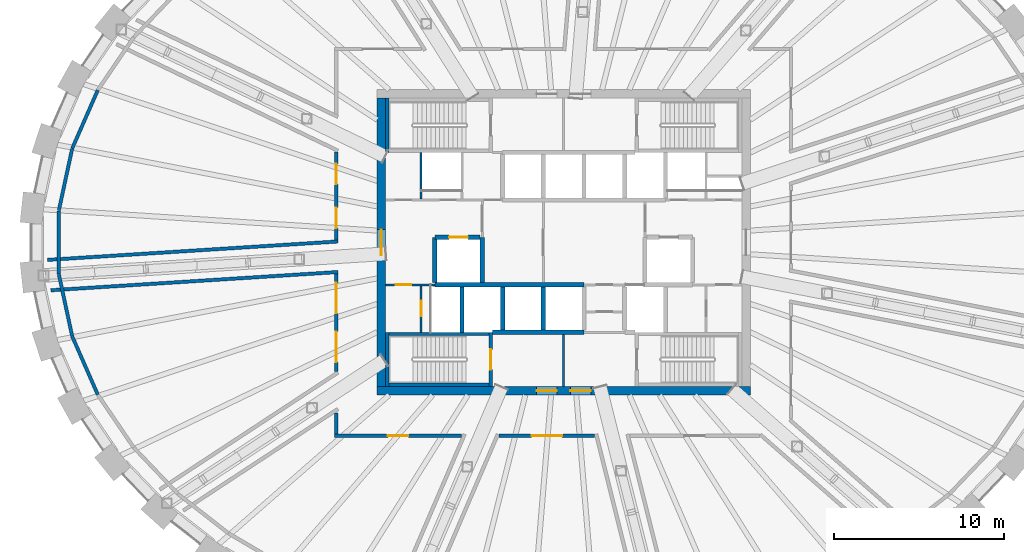
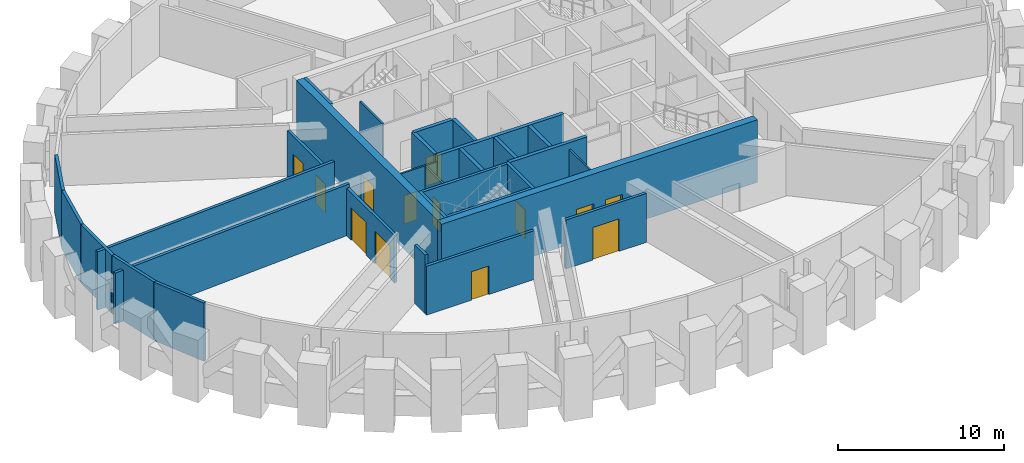
# One storey, part 7 of 12: 31 walls, 13 doors, 13 openings.
"""IFC4 building model written with IfcOpenShell, lengths in metres."""

from ifc_helpers import new_model, si_unit, direction, frame, frame_2d, origin, place, context, subcontext, project, spatial, rectangle, extrude, source, transform, mapped, material, layer, layer_set, type_object, element, fill, save


model = new_model("IFC4")

# Units and contexts
model_context = context("Model", 3, precision=1e-05, world=origin(), true_north=direction((0.0, 1.0)))
body_context = subcontext(model_context, "Body", "Model", "MODEL_VIEW")
ifc_project = project(units=[si_unit("LENGTHUNIT", "METRE"), si_unit("AREAUNIT", "SQUARE_METRE"), si_unit("VOLUMEUNIT", "CUBIC_METRE"), si_unit("PLANEANGLEUNIT", "RADIAN"), si_unit("MASSUNIT", "GRAM", prefix="KILO")], contexts=[model_context])

# Site, building, storey
site_placement = place(None, origin())
site = spatial("IfcSite", under=ifc_project, at=site_placement, CompositionType="ELEMENT")
building_placement = place(site_placement, origin())
building = spatial("IfcBuilding", under=site, at=building_placement, Name="Embergate Tower", CompositionType="ELEMENT")
storey_placement = place(building_placement, frame((0.0, 0.0, 289.0)))
storey = spatial("IfcBuildingStorey", under=building, at=storey_placement, Name="L67", CompositionType="ELEMENT", Elevation=289.0)

# Wall, openings, doors
ifc_material_1 = material(Name="Concrete C50", Category="concrete")
ifc_layer_1 = layer(ifc_material_1, 0.5)
ifc_layer_set_1 = layer_set([ifc_layer_1], Name="Concrete C50")
wall_type_1 = type_object("IfcWallType", Name="Core outer wall C50 500", PredefinedType="SHEAR", material=ifc_layer_set_1)
shared_shape_1 = source(origin(), body_context, "Body", "SweptSolid", [
    extrude(rectangle(XDim=22.0, YDim=0.5, at=frame_2d((11.0, 0.0))), origin(), (0.0, 0.0, 1.0), 4.60009765625),
])
wall_1_placement = place(storey_placement, frame((-11.0, -8.75, -0.300048828125), z_axis=(0.0, 0.0, 1.0), x_axis=(1.0, 0.0, 0.0)))
wall_1 = element("IfcWall", 1, at=wall_1_placement, inside=storey, type_object=wall_type_1, Name="CW-L67-S", PredefinedType="SHEAR", context=body_context, shape_type="MappedRepresentation", body=[
    mapped(shared_shape_1, transform((0.0, 0.0, 0.0))),
])
shared_shape_2 = source(origin(), body_context, "Body", "SweptSolid", [
    extrude(rectangle(XDim=1.199951171875, YDim=2.10009765625, at=frame_2d((0.60009765625, 1.050048828125))), frame((0.0, 0.260009765625, 0.0), z_axis=(0.0, -1.0, 0.0), x_axis=(1.0, 0.0, 0.0)), (0.0, 0.0, 1.0), 0.52001953125),
])
opening_1_placement = place(wall_1_placement, frame((9.39990234375, 0.0, 0.300048828125)))
opening_1 = element("IfcOpeningElement", 2, at=opening_1_placement, cuts=wall_1, Name="Opening IF-1", PredefinedType="OPENING", context=body_context, shape_type="MappedRepresentation", body=[
    mapped(shared_shape_2, transform((0.0, 0.0, 0.0))),
])
opening_2_placement = place(wall_1_placement, frame((11.39990234375, 0.0, 0.300048828125)))
opening_2 = element("IfcOpeningElement", 3, at=opening_2_placement, cuts=wall_1, Name="Opening IF-1", PredefinedType="OPENING", context=body_context, shape_type="MappedRepresentation", body=[
    mapped(shared_shape_2, transform((0.0, 0.0, 0.0))),
])
ifc_material_2 = material(Name="Escape fire door 1200")
door_type_1 = type_object("IfcDoorType", Name="Escape fire door 1200", OperationType="SINGLE_SWING_LEFT", PredefinedType="DOOR", material=ifc_material_2)
shared_shape_3 = source(origin(), body_context, "Body", "SweptSolid", [
    extrude(rectangle(XDim=1.199951171875, YDim=2.10009765625, at=frame_2d((0.60009765625, 1.050048828125))), frame((0.0, 0.02490234375, 0.0), z_axis=(0.0, -1.0, 0.0), x_axis=(1.0, 0.0, 0.0)), (0.0, 0.0, 1.0), 0.050048828125),
])
door_1_placement = place(opening_1_placement, origin())
door_1 = element("IfcDoor", 4, at=door_1_placement, inside=storey, type_object=door_type_1, Name="IF-1 door", OperationType="SINGLE_SWING_LEFT", OverallHeight=2.10009765625, OverallWidth=1.199951171875, PredefinedType="DOOR", context=body_context, shape_type="MappedRepresentation", body=[
    mapped(shared_shape_3, transform((0.0, 0.0, 0.0))),
])
fill(opening_1, door_1)
door_2_placement = place(opening_2_placement, origin())
door_2 = element("IfcDoor", 5, at=door_2_placement, inside=storey, type_object=door_type_1, Name="IF-1 door", OperationType="SINGLE_SWING_RIGHT", OverallHeight=2.10009765625, OverallWidth=1.199951171875, PredefinedType="DOOR", context=body_context, shape_type="MappedRepresentation", body=[
    mapped(shared_shape_3, transform((0.0, 0.0, 0.0))),
])
fill(opening_2, door_2)

# Wall, opening, door
shared_shape_4 = source(origin(), body_context, "Body", "SweptSolid", [
    extrude(rectangle(XDim=17.0, YDim=0.5, at=frame_2d((8.5, 0.0))), origin(), (0.0, 0.0, 1.0), 4.60009765625),
])
wall_2_placement = place(storey_placement, frame((-10.75, -8.5, -0.300048828125), z_axis=(0.0, 0.0, 1.0), x_axis=(0.0, 1.0, 0.0)))
wall_2 = element("IfcWall", 6, at=wall_2_placement, inside=storey, type_object=wall_type_1, Name="CW-L67-W", PredefinedType="SHEAR", context=body_context, shape_type="MappedRepresentation", body=[
    mapped(shared_shape_4, transform((0.0, 0.0, 0.0))),
])
shared_shape_5 = source(origin(), body_context, "Body", "SweptSolid", [
    extrude(rectangle(XDim=1.5, YDim=2.10009765625, at=frame_2d((0.75, 1.050048828125))), frame((0.0, 0.260009765625, 0.0), z_axis=(0.0, -1.0, 0.0), x_axis=(1.0, 0.0, 0.0)), (0.0, 0.0, 1.0), 0.52001953125),
])
opening_3_placement = place(wall_2_placement, frame((7.75, 0.0, 0.300048828125)))
opening_3 = element("IfcOpeningElement", 7, at=opening_3_placement, cuts=wall_2, Name="Opening IF-3", PredefinedType="OPENING", context=body_context, shape_type="MappedRepresentation", body=[
    mapped(shared_shape_5, transform((0.0, 0.0, 0.0))),
])
ifc_material_3 = material(Name="Lobby fire door pair 1500")
door_type_2 = type_object("IfcDoorType", Name="Lobby fire door pair 1500", OperationType="DOUBLE_DOOR_SINGLE_SWING", PredefinedType="DOOR", material=ifc_material_3)
shared_shape_6 = source(origin(), body_context, "Body", "SweptSolid", [
    extrude(rectangle(XDim=1.5, YDim=2.10009765625, at=frame_2d((0.75, 1.050048828125))), frame((0.0, 0.02490234375, 0.0), z_axis=(0.0, -1.0, 0.0), x_axis=(1.0, 0.0, 0.0)), (0.0, 0.0, 1.0), 0.050048828125),
])
door_3_placement = place(opening_3_placement, origin())
door_3 = element("IfcDoor", 8, at=door_3_placement, inside=storey, type_object=door_type_2, Name="IF-3 door", OperationType="DOUBLE_DOOR_SINGLE_SWING", OverallHeight=2.10009765625, OverallWidth=1.5, PredefinedType="DOOR", context=body_context, shape_type="MappedRepresentation", body=[
    mapped(shared_shape_6, transform((0.0, 0.0, 0.0))),
])
fill(opening_3, door_3)

# Walls
ifc_material_4 = material(Name="Terracotta louvre cladding on insulated backing", Category="masonry")
ifc_layer_2 = layer(ifc_material_4, 0.199951171875)
ifc_layer_set_2 = layer_set([ifc_layer_2], Name="Terracotta louvre cladding on insulated backing")
wall_type_2 = type_object("IfcWallType", Name="Terracotta louvre wall", PredefinedType="SOLIDWALL", material=ifc_layer_set_2)
shared_shape_7 = source(origin(), body_context, "Body", "SweptSolid", [
    extrude(rectangle(XDim=3.729248046875, YDim=0.199951171875, at=frame_2d((1.86474609375, 0.0))), origin(), (0.0, 0.0, 1.0), 4.300048828125),
])
for number, where, z_axis, x_axis, name in (
    (9, (-29.762451171875, 1.88330078125, 0.0), (0.0, 0.0, 1.0), (0.2104097695, 0.977613281875, 0.0), "Louvre wall 21"),
    (10, (-28.977783203125, -5.529052734375, 0.0), (0.0, 0.0, 1.0), (-0.2104097695, 0.977613281875, 0.0), "Louvre wall 23"),
):
    element("IfcWall", number, at=place(storey_placement, frame(where, z_axis=z_axis, x_axis=x_axis)), inside=storey, type_object=wall_type_2, Name=name, PredefinedType="SOLIDWALL", context=body_context, shape_type="MappedRepresentation", body=[
        mapped(shared_shape_7, transform((0.0, 0.0, 0.0))),
    ])
shared_shape_8 = source(origin(), body_context, "Body", "SweptSolid", [
    extrude(rectangle(XDim=3.736328125, YDim=0.199951171875, at=frame_2d((1.8681640625, 0.0))), origin(), (0.0, 0.0, 1.0), 4.300048828125),
])
for number, where, z_axis, x_axis, name in (
    (11, (-28.9716796875, 5.548095703125, 0.0), (0.0, 0.0, 1.0), (0.40166534079, 0.915786522072, 0.0), "Louvre wall 20"),
    (12, (-27.470947265625, -8.9697265625, 0.0), (0.0, 0.0, 1.0), (-0.40166534079, 0.915786522072, 0.0), "Louvre wall 24"),
):
    element("IfcWall", number, at=place(storey_placement, frame(where, z_axis=z_axis, x_axis=x_axis)), inside=storey, type_object=wall_type_2, Name=name, PredefinedType="SOLIDWALL", context=body_context, shape_type="MappedRepresentation", body=[
        mapped(shared_shape_8, transform((0.0, 0.0, 0.0))),
    ])
shared_shape_9 = source(origin(), body_context, "Body", "SweptSolid", [
    extrude(rectangle(XDim=3.7265625, YDim=0.199951171875, at=frame_2d((1.86328125, 0.0))), origin(), (0.0, 0.0, 1.0), 4.300048828125),
])
wall_3_placement = place(storey_placement, frame((-29.7646484375, -1.86328125, 0.0), z_axis=(0.0, 0.0, 1.0), x_axis=(0.0, 1.0, 0.0)))
element("IfcWall", 13, at=wall_3_placement, inside=storey, type_object=wall_type_2, Name="Louvre wall 22", PredefinedType="SOLIDWALL", context=body_context, shape_type="MappedRepresentation", body=[
    mapped(shared_shape_9, transform((0.0, 0.0, 0.0))),
])
ifc_layer_3 = layer(ifc_material_1, 0.25)
ifc_layer_set_3 = layer_set([ifc_layer_3], Name="Concrete C50")
wall_type_3 = type_object("IfcWallType", Name="Hoistway wall reinforced concrete 250", PredefinedType="SHEAR", material=ifc_layer_set_3)
shared_shape_10 = source(origin(), body_context, "Body", "SweptSolid", [
    extrude(rectangle(XDim=2.675048828125, YDim=0.25, at=frame_2d((1.33740234375, 0.0))), origin(), (0.0, 0.0, 1.0), 4.300048828125),
])
for number, where, z_axis, x_axis, name in (
    (14, (-6.0, -5.300048828125, 0.0), (0.0, 0.0, 1.0), (0.0, 1.0, 0.0), "HW-1 wall"),
    (15, (-4.800048828125, 0.300048828125, 0.0), (0.0, 0.0, 1.0), (0.0, -1.0, 0.0), "HW-1 wall"),
):
    element("IfcWall", number, at=place(storey_placement, frame(where, z_axis=z_axis, x_axis=x_axis)), inside=storey, type_object=wall_type_3, Name=name, PredefinedType="SHEAR", context=body_context, shape_type="MappedRepresentation", body=[
        mapped(shared_shape_10, transform((0.0, 0.0, 0.0))),
    ])

# Wall, opening, door
wall_4_placement = place(storey_placement, frame((-4.925048828125, 0.300048828125, 0.0), z_axis=(0.0, 0.0, 1.0), x_axis=(-1.0, 0.0, 0.0)))
wall_4 = element("IfcWall", 16, at=wall_4_placement, inside=storey, type_object=wall_type_3, Name="HW-1 wall", PredefinedType="SHEAR", context=body_context, shape_type="MappedRepresentation", body=[
    mapped(shared_shape_10, transform((0.0, 0.0, 0.0))),
])
shared_shape_11 = source(origin(), body_context, "Body", "SweptSolid", [
    extrude(rectangle(XDim=1.10009765625, YDim=2.10009765625, at=frame_2d((0.550048828125, 1.050048828125))), frame((0.0, 0.135009765625, 0.0), z_axis=(0.0, -1.0, 0.0), x_axis=(1.0, 0.0, 0.0)), (0.0, 0.0, 1.0), 0.27001953125),
])
opening_4_placement = place(wall_4_placement, frame((0.72509765625, 0.0, 0.0)))
opening_4 = element("IfcOpeningElement", 17, at=opening_4_placement, cuts=wall_4, Name="Opening LD", PredefinedType="OPENING", context=body_context, shape_type="MappedRepresentation", body=[
    mapped(shared_shape_11, transform((0.0, 0.0, 0.0))),
])
ifc_material_5 = material(Name="Landing door sliding 1100")
door_type_3 = type_object("IfcDoorType", Name="Landing door sliding 1100", OperationType="SLIDING_TO_LEFT", PredefinedType="DOOR", material=ifc_material_5)
shared_shape_12 = source(origin(), body_context, "Body", "SweptSolid", [
    extrude(rectangle(XDim=1.10009765625, YDim=2.10009765625, at=frame_2d((0.550048828125, 1.050048828125))), frame((0.0, 0.02490234375, 0.0), z_axis=(0.0, -1.0, 0.0), x_axis=(1.0, 0.0, 0.0)), (0.0, 0.0, 1.0), 0.050048828125),
])
door_4_placement = place(opening_4_placement, origin())
door_4 = element("IfcDoor", 18, at=door_4_placement, inside=storey, type_object=door_type_3, Name="LD door", OperationType="SLIDING_TO_LEFT", OverallHeight=2.10009765625, OverallWidth=1.10009765625, PredefinedType="DOOR", context=body_context, shape_type="MappedRepresentation", body=[
    mapped(shared_shape_12, transform((0.0, 0.0, 0.0))),
])
fill(opening_4, door_4)

# Walls
wall_5_placement = place(storey_placement, frame((-7.60009765625, 0.300048828125, 0.0), z_axis=(0.0, 0.0, 1.0), x_axis=(0.0, -1.0, 0.0)))
element("IfcWall", 19, at=wall_5_placement, inside=storey, type_object=wall_type_3, Name="HW-1 wall", PredefinedType="SHEAR", context=body_context, shape_type="MappedRepresentation", body=[
    mapped(shared_shape_10, transform((0.0, 0.0, 0.0))),
])
ifc_layer_4 = layer(ifc_material_1, 0.199951171875)
ifc_layer_set_4 = layer_set([ifc_layer_4], Name="Concrete C50")
wall_type_4 = type_object("IfcWallType", Name="Stair enclosure wall reinforced concrete 250", PredefinedType="SHEAR", material=ifc_layer_set_4)
shared_shape_13 = source(origin(), body_context, "Body", "SweptSolid", [
    extrude(rectangle(XDim=6.300048828125, YDim=0.199951171875, at=frame_2d((3.14990234375, 0.0))), origin(), (0.0, 0.0, 1.0), 4.300048828125),
])
wall_6_placement = place(storey_placement, frame((-10.5, -5.39990234375, 0.0), z_axis=(0.0, 0.0, 1.0), x_axis=(1.0, 0.0, 0.0)))
element("IfcWall", 20, at=wall_6_placement, inside=storey, type_object=wall_type_4, Name="SE-1 wall", PredefinedType="SHEAR", context=body_context, shape_type="MappedRepresentation", body=[
    mapped(shared_shape_13, transform((0.0, 0.0, 0.0))),
])
shared_shape_14 = source(origin(), body_context, "Body", "SweptSolid", [
    extrude(rectangle(XDim=2.550048828125, YDim=0.25, at=frame_2d((1.27490234375, 0.0))), origin(), (0.0, 0.0, 1.0), 4.300048828125),
])
for number, where, z_axis, x_axis, name in (
    (21, (-3.60009765625, -5.175048828125, 0.0), (0.0, 0.0, 1.0), (0.0, 1.0, 0.0), "HW-1 wall"),
    (22, (-1.199951171875, -5.175048828125, 0.0), (0.0, 0.0, 1.0), (0.0, 1.0, 0.0), "HW-1 wall"),
):
    element("IfcWall", number, at=place(storey_placement, frame(where, z_axis=z_axis, x_axis=x_axis)), inside=storey, type_object=wall_type_3, Name=name, PredefinedType="SHEAR", context=body_context, shape_type="MappedRepresentation", body=[
        mapped(shared_shape_14, transform((0.0, 0.0, 0.0))),
    ])

# Wall, opening, door
shared_shape_15 = source(origin(), body_context, "Body", "SweptSolid", [
    extrude(rectangle(XDim=3.199951171875, YDim=0.199951171875, at=frame_2d((1.60009765625, 0.0))), origin(), (0.0, 0.0, 1.0), 4.300048828125),
])
wall_7_placement = place(storey_placement, frame((-4.300048828125, -8.5, 0.0), z_axis=(0.0, 0.0, 1.0), x_axis=(0.0, 1.0, 0.0)))
wall_7 = element("IfcWall", 23, at=wall_7_placement, inside=storey, type_object=wall_type_4, Name="SE-1 wall", PredefinedType="SHEAR", context=body_context, shape_type="MappedRepresentation", body=[
    mapped(shared_shape_15, transform((0.0, 0.0, 0.0))),
])
shared_shape_16 = source(origin(), body_context, "Body", "SweptSolid", [
    extrude(rectangle(XDim=1.199951171875, YDim=2.10009765625, at=frame_2d((0.60009765625, 1.050048828125))), frame((0.0, 0.10986328125, 0.0), z_axis=(0.0, -1.0, 0.0), x_axis=(1.0, 0.0, 0.0)), (0.0, 0.0, 1.0), 0.219970703125),
])
opening_5_placement = place(wall_7_placement, frame((1.0, 0.0, 0.0)))
opening_5 = element("IfcOpeningElement", 24, at=opening_5_placement, cuts=wall_7, Name="Opening IF-2", PredefinedType="OPENING", context=body_context, shape_type="MappedRepresentation", body=[
    mapped(shared_shape_16, transform((0.0, 0.0, 0.0))),
])
ifc_material_6 = material(Name="Stair enclosure door 1200")
door_type_4 = type_object("IfcDoorType", Name="Stair enclosure door 1200", OperationType="SINGLE_SWING_LEFT", PredefinedType="DOOR", material=ifc_material_6)
door_5_placement = place(opening_5_placement, origin())
door_5 = element("IfcDoor", 25, at=door_5_placement, inside=storey, type_object=door_type_4, Name="IF-2 door", OperationType="SINGLE_SWING_RIGHT", OverallHeight=2.10009765625, OverallWidth=1.199951171875, PredefinedType="DOOR", context=body_context, shape_type="MappedRepresentation", body=[
    mapped(shared_shape_3, transform((0.0, 0.0, 0.0))),
])
fill(opening_5, door_5)

# Wall
ifc_material_7 = material(Name="Core partition blockwork 120")
ifc_layer_5 = layer(ifc_material_7, 0.1201171875)
ifc_layer_set_5 = layer_set([ifc_layer_5], Name="Core partition blockwork 120")
wall_type_5 = type_object("IfcWallType", Name="Core partition blockwork 120", PredefinedType="PARTITIONING", material=ifc_layer_set_5)
shared_shape_17 = source(origin(), body_context, "Body", "SweptSolid", [
    extrude(rectangle(XDim=2.739990234375, YDim=0.1201171875, at=frame_2d((1.3701171875, 0.0))), origin(), (0.0, 0.0, 1.0), 3.800048828125),
])
wall_8_placement = place(storey_placement, frame((-8.39990234375, 5.300048828125, 0.0), z_axis=(0.0, 0.0, 1.0), x_axis=(0.0, -1.0, 0.0)))
element("IfcWall", 26, at=wall_8_placement, inside=storey, type_object=wall_type_5, Name="IP-3 wall", PredefinedType="PARTITIONING", context=body_context, shape_type="MappedRepresentation", body=[
    mapped(shared_shape_17, transform((0.0, 0.0, 0.0))),
])

# Wall, opening, door
wall_9_placement = place(storey_placement, frame((-8.39990234375, -2.56005859375, 0.0), z_axis=(0.0, 0.0, 1.0), x_axis=(0.0, -1.0, 0.0)))
wall_9 = element("IfcWall", 27, at=wall_9_placement, inside=storey, type_object=wall_type_5, Name="IP-3 wall", PredefinedType="PARTITIONING", context=body_context, shape_type="MappedRepresentation", body=[
    mapped(shared_shape_17, transform((0.0, 0.0, 0.0))),
])
shared_shape_18 = source(origin(), body_context, "Body", "SweptSolid", [
    extrude(rectangle(XDim=0.89990234375, YDim=2.10009765625, at=frame_2d((0.449951171875, 1.050048828125))), frame((0.0, 0.070068359375, 0.0), z_axis=(0.0, -1.0, 0.0), x_axis=(1.0, 0.0, 0.0)), (0.0, 0.0, 1.0), 0.14013671875),
])
opening_6_placement = place(wall_9_placement, frame((0.889892578125, 0.0, 0.0)))
opening_6 = element("IfcOpeningElement", 28, at=opening_6_placement, cuts=wall_9, Name="Opening ID-1", PredefinedType="OPENING", context=body_context, shape_type="MappedRepresentation", body=[
    mapped(shared_shape_18, transform((0.0, 0.0, 0.0))),
])
ifc_material_8 = material(Name="Interior door 900")
door_type_5 = type_object("IfcDoorType", Name="Interior door 900", OperationType="SINGLE_SWING_LEFT", PredefinedType="DOOR", material=ifc_material_8)
shared_shape_19 = source(origin(), body_context, "Body", "SweptSolid", [
    extrude(rectangle(XDim=0.89990234375, YDim=2.10009765625, at=frame_2d((0.449951171875, 1.050048828125))), frame((0.0, 0.02490234375, 0.0), z_axis=(0.0, -1.0, 0.0), x_axis=(1.0, 0.0, 0.0)), (0.0, 0.0, 1.0), 0.050048828125),
])
door_6_placement = place(opening_6_placement, origin())
door_6 = element("IfcDoor", 29, at=door_6_placement, inside=storey, type_object=door_type_5, Name="ID-1 door", OperationType="SINGLE_SWING_LEFT", OverallHeight=2.10009765625, OverallWidth=0.89990234375, PredefinedType="DOOR", context=body_context, shape_type="MappedRepresentation", body=[
    mapped(shared_shape_19, transform((0.0, 0.0, 0.0))),
])
fill(opening_6, door_6)

# Wall
shared_shape_20 = source(origin(), body_context, "Body", "SweptSolid", [
    extrude(rectangle(XDim=8.800048828125, YDim=0.25, at=frame_2d((4.39990234375, 0.0))), origin(), (0.0, 0.0, 1.0), 4.300048828125),
])
wall_10_placement = place(storey_placement, frame((1.199951171875, -2.5, 0.0), z_axis=(0.0, 0.0, 1.0), x_axis=(-1.0, 0.0, 0.0)))
element("IfcWall", 30, at=wall_10_placement, inside=storey, type_object=wall_type_3, Name="HW-1 wall", PredefinedType="SHEAR", context=body_context, shape_type="MappedRepresentation", body=[
    mapped(shared_shape_20, transform((0.0, 0.0, 0.0))),
])

# Wall, opening, door
shared_shape_21 = source(origin(), body_context, "Body", "SweptSolid", [
    extrude(rectangle(XDim=2.89990234375, YDim=0.1201171875, at=frame_2d((1.449951171875, 0.0))), origin(), (0.0, 0.0, 1.0), 3.800048828125),
])
wall_11_placement = place(storey_placement, frame((-7.60009765625, -2.5, 0.0), z_axis=(0.0, 0.0, 1.0), x_axis=(-1.0, 0.0, 0.0)))
wall_11 = element("IfcWall", 31, at=wall_11_placement, inside=storey, type_object=wall_type_5, Name="IP-3 wall", PredefinedType="PARTITIONING", context=body_context, shape_type="MappedRepresentation", body=[
    mapped(shared_shape_21, transform((0.0, 0.0, 0.0))),
])
opening_7_placement = place(wall_11_placement, frame((1.39990234375, 0.0, 0.0)))
opening_7 = element("IfcOpeningElement", 32, at=opening_7_placement, cuts=wall_11, Name="Opening ID-1", PredefinedType="OPENING", context=body_context, shape_type="MappedRepresentation", body=[
    mapped(shared_shape_18, transform((0.0, 0.0, 0.0))),
])
door_7_placement = place(opening_7_placement, origin())
door_7 = element("IfcDoor", 33, at=door_7_placement, inside=storey, type_object=door_type_5, Name="ID-1 door", OperationType="SINGLE_SWING_RIGHT", OverallHeight=2.10009765625, OverallWidth=0.89990234375, PredefinedType="DOOR", context=body_context, shape_type="MappedRepresentation", body=[
    mapped(shared_shape_19, transform((0.0, 0.0, 0.0))),
])
fill(opening_7, door_7)

# Walls
shared_shape_22 = source(origin(), body_context, "Body", "SweptSolid", [
    extrude(rectangle(XDim=5.39990234375, YDim=0.25, at=frame_2d((2.699951171875, 0.0))), origin(), (0.0, 0.0, 1.0), 4.300048828125),
])
wall_12_placement = place(storey_placement, frame((-4.199951171875, -5.300048828125, 0.0), z_axis=(0.0, 0.0, 1.0), x_axis=(1.0, 0.0, 0.0)))
element("IfcWall", 34, at=wall_12_placement, inside=storey, type_object=wall_type_3, Name="HW-1 wall", PredefinedType="SHEAR", context=body_context, shape_type="MappedRepresentation", body=[
    mapped(shared_shape_22, transform((0.0, 0.0, 0.0))),
])
shared_shape_23 = source(origin(), body_context, "Body", "SweptSolid", [
    extrude(rectangle(XDim=3.074951171875, YDim=0.1201171875, at=frame_2d((1.53759765625, 0.0))), origin(), (0.0, 0.0, 1.0), 3.800048828125),
])
wall_13_placement = place(storey_placement, frame((0.0, -8.5, 0.0), z_axis=(0.0, 0.0, 1.0), x_axis=(0.0, 1.0, 0.0)))
element("IfcWall", 35, at=wall_13_placement, inside=storey, type_object=wall_type_5, Name="IP-3 wall", PredefinedType="PARTITIONING", context=body_context, shape_type="MappedRepresentation", body=[
    mapped(shared_shape_23, transform((0.0, 0.0, 0.0))),
])
shared_shape_24 = source(origin(), body_context, "Body", "SweptSolid", [
    extrude(rectangle(XDim=6.298095703125, YDim=0.199951171875, at=frame_2d((3.14892578125, 0.0))), origin(), (0.0, 0.0, 1.0), 4.300048828125),
])
wall_14_placement = place(storey_placement, frame((-10.5, -8.39990234375, 0.0), z_axis=(0.0, 0.0, 1.0), x_axis=(1.0, 0.0, 0.0)))
element("IfcWall", 36, at=wall_14_placement, inside=storey, type_object=wall_type_4, Name="SE-1 wall", PredefinedType="SHEAR", context=body_context, shape_type="MappedRepresentation", body=[
    mapped(shared_shape_24, transform((0.0, 0.0, 0.0))),
])
shared_shape_25 = source(origin(), body_context, "Body", "SweptSolid", [
    extrude(rectangle(XDim=3.197998046875, YDim=0.199951171875, at=frame_2d((1.59912109375, 0.0))), origin(), (0.0, 0.0, 1.0), 4.300048828125),
])
for number, where, z_axis, x_axis, name in (
    (37, (-10.39990234375, 8.5, 0.0), (0.0, 0.0, 1.0), (0.0, -1.0, 0.0), "SE-1 wall"),
    (38, (-10.39990234375, -5.302001953125, 0.0), (0.0, 0.0, 1.0), (0.0, -1.0, 0.0), "SE-1 wall"),
):
    element("IfcWall", number, at=place(storey_placement, frame(where, z_axis=z_axis, x_axis=x_axis)), inside=storey, type_object=wall_type_4, Name=name, PredefinedType="SHEAR", context=body_context, shape_type="MappedRepresentation", body=[
        mapped(shared_shape_25, transform((0.0, 0.0, 0.0))),
    ])
ifc_material_9 = material(Name="Blockwork, plastered", Category="masonry")
ifc_layer_6 = layer(ifc_material_9, 0.199951171875)
ifc_layer_set_6 = layer_set([ifc_layer_6], Name="Blockwork, plastered")
wall_type_6 = type_object("IfcWallType", Name="Fire partition wall 200 block", PredefinedType="PARTITIONING", material=ifc_layer_set_6)
shared_shape_26 = source(origin(), body_context, "Body", "SweptSolid", [
    extrude(rectangle(XDim=16.97119140625, YDim=0.199951171875, at=frame_2d((8.485595703125, 0.0))), origin(), (0.0, 0.0, 1.0), 3.75),
])
wall_15_placement = place(storey_placement, frame((-30.237060546875, -2.822021484375, 0.0), z_axis=(0.0, 0.0, 1.0), x_axis=(0.997991997394, 0.063340138446, 0.0)))
element("IfcWall", 39, at=wall_15_placement, inside=storey, type_object=wall_type_6, Name="Partition 001", PredefinedType="PARTITIONING", context=body_context, shape_type="MappedRepresentation", body=[
    mapped(shared_shape_26, transform((0.0, 0.0, 0.0))),
])
shared_shape_27 = source(origin(), body_context, "Body", "SweptSolid", [
    extrude(rectangle(XDim=1.2490234375, YDim=0.199951171875, at=frame_2d((0.62451171875, 0.0))), origin(), (0.0, 0.0, 1.0), 4.300048828125),
])
wall_16_placement = place(storey_placement, frame((-13.39990234375, -11.300048828125, 0.0), z_axis=(0.0, 0.0, 1.0), x_axis=(0.0, 1.0, 0.0)))
element("IfcWall", 40, at=wall_16_placement, inside=storey, type_object=wall_type_6, Name="Partition 005", PredefinedType="PARTITIONING", context=body_context, shape_type="MappedRepresentation", body=[
    mapped(shared_shape_27, transform((0.0, 0.0, 0.0))),
])

# Wall, openings, doors
shared_shape_28 = source(origin(), body_context, "Body", "SweptSolid", [
    extrude(rectangle(XDim=5.743896484375, YDim=0.199951171875, at=frame_2d((2.8720703125, 0.0))), origin(), (0.0, 0.0, 1.0), 3.5),
])
wall_17_placement = place(storey_placement, frame((-13.39990234375, -7.596923828125, 0.0), z_axis=(0.0, 0.0, 1.0), x_axis=(0.0, 1.0, 0.0)))
wall_17 = element("IfcWall", 41, at=wall_17_placement, inside=storey, type_object=wall_type_6, Name="Partition 007", PredefinedType="PARTITIONING", context=body_context, shape_type="MappedRepresentation", body=[
    mapped(shared_shape_28, transform((0.0, 0.0, 0.0))),
])
shared_shape_29 = source(origin(), body_context, "Body", "SweptSolid", [
    extrude(rectangle(XDim=1.800048828125, YDim=2.39990234375, at=frame_2d((0.89990234375, 1.199951171875))), frame((0.0, 0.10986328125, 0.0), z_axis=(0.0, -1.0, 0.0), x_axis=(1.0, 0.0, 0.0)), (0.0, 0.0, 1.0), 0.219970703125),
])
opening_8_placement = place(wall_17_placement, frame((0.535888671875, 0.0, 0.0)))
opening_8 = element("IfcOpeningElement", 42, at=opening_8_placement, cuts=wall_17, Name="Opening DS-251", PredefinedType="OPENING", context=body_context, shape_type="MappedRepresentation", body=[
    mapped(shared_shape_29, transform((0.0, 0.0, 0.0))),
])
opening_9_placement = place(wall_17_placement, frame((3.407958984375, 0.0, 0.0)))
opening_9 = element("IfcOpeningElement", 43, at=opening_9_placement, cuts=wall_17, Name="Opening DS-252", PredefinedType="OPENING", context=body_context, shape_type="MappedRepresentation", body=[
    mapped(shared_shape_29, transform((0.0, 0.0, 0.0))),
])
ifc_material_10 = material(Name="Timber door leaf, steel frame", Category="steel")
door_type_6 = type_object("IfcDoorType", Name="Double door 1800x2400", OperationType="DOUBLE_DOOR_SINGLE_SWING", PredefinedType="DOOR", material=ifc_material_10)
shared_shape_30 = source(origin(), body_context, "Body", "SweptSolid", [
    extrude(rectangle(XDim=1.800048828125, YDim=2.39990234375, at=frame_2d((0.89990234375, 1.199951171875))), frame((0.0, 0.02490234375, 0.0), z_axis=(0.0, -1.0, 0.0), x_axis=(1.0, 0.0, 0.0)), (0.0, 0.0, 1.0), 0.050048828125),
])
door_8_placement = place(opening_8_placement, origin())
door_8 = element("IfcDoor", 44, at=door_8_placement, inside=storey, type_object=door_type_6, Name="Door to Refuge area", OperationType="SINGLE_SWING_LEFT", OverallHeight=2.39990234375, OverallWidth=1.800048828125, PredefinedType="DOOR", context=body_context, shape_type="MappedRepresentation", body=[
    mapped(shared_shape_30, transform((0.0, 0.0, 0.0))),
])
fill(opening_8, door_8)
door_9_placement = place(opening_9_placement, origin())
door_9 = element("IfcDoor", 45, at=door_9_placement, inside=storey, type_object=door_type_6, Name="Door to Refuge area", OperationType="SINGLE_SWING_LEFT", OverallHeight=2.39990234375, OverallWidth=1.800048828125, PredefinedType="DOOR", context=body_context, shape_type="MappedRepresentation", body=[
    mapped(shared_shape_30, transform((0.0, 0.0, 0.0))),
])
fill(opening_9, door_9)

# Wall
shared_shape_31 = source(origin(), body_context, "Body", "SweptSolid", [
    extrude(rectangle(XDim=17.164306640625, YDim=0.199951171875, at=frame_2d((8.58203125, 0.0))), origin(), (0.0, 0.0, 1.0), 4.300048828125),
])
wall_18_placement = place(storey_placement, frame((-13.300048828125, 0.055908203125, 0.0), z_axis=(0.0, 0.0, 1.0), x_axis=(-0.997993021715, -0.063323997102, 0.0)))
element("IfcWall", 46, at=wall_18_placement, inside=storey, type_object=wall_type_6, Name="Partition 008", PredefinedType="PARTITIONING", context=body_context, shape_type="MappedRepresentation", body=[
    mapped(shared_shape_31, transform((0.0, 0.0, 0.0))),
])

# Wall, openings, doors
shared_shape_32 = source(origin(), body_context, "Body", "SweptSolid", [
    extrude(rectangle(XDim=5.177978515625, YDim=0.199951171875, at=frame_2d((2.5888671875, 0.0))), origin(), (0.0, 0.0, 1.0), 3.39990234375),
])
wall_19_placement = place(storey_placement, frame((-13.39990234375, 0.14990234375, 0.0), z_axis=(0.0, 0.0, 1.0), x_axis=(0.0, 1.0, 0.0)))
wall_19 = element("IfcWall", 47, at=wall_19_placement, inside=storey, type_object=wall_type_6, Name="Partition 009", PredefinedType="PARTITIONING", context=body_context, shape_type="MappedRepresentation", body=[
    mapped(shared_shape_32, transform((0.0, 0.0, 0.0))),
])
opening_10_placement = place(wall_19_placement, frame((0.695068359375, 0.0, 0.0)))
opening_10 = element("IfcOpeningElement", 48, at=opening_10_placement, cuts=wall_19, Name="Opening DS-249", PredefinedType="OPENING", context=body_context, shape_type="MappedRepresentation", body=[
    mapped(shared_shape_16, transform((0.0, 0.0, 0.0))),
])
opening_11_placement = place(wall_19_placement, frame((3.283935546875, 0.0, 0.0)))
opening_11 = element("IfcOpeningElement", 49, at=opening_11_placement, cuts=wall_19, Name="Opening DS-250", PredefinedType="OPENING", context=body_context, shape_type="MappedRepresentation", body=[
    mapped(shared_shape_16, transform((0.0, 0.0, 0.0))),
])
door_type_7 = type_object("IfcDoorType", Name="Plant door 1200x2100", OperationType="SINGLE_SWING_LEFT", PredefinedType="DOOR", material=ifc_material_10)
shared_shape_33 = source(origin(), body_context, "Body", "SweptSolid", [
    extrude(rectangle(XDim=1.199951171875, YDim=2.10009765625, at=frame_2d((0.60009765625, 1.050048828125))), frame((0.0, 0.02490234375, 0.0), z_axis=(0.0, -1.0, 0.0), x_axis=(1.0, 0.0, 0.0)), (0.0, 0.0, 1.0), 0.050048828125),
])
door_10_placement = place(opening_10_placement, origin())
door_10 = element("IfcDoor", 50, at=door_10_placement, inside=storey, type_object=door_type_7, Name="Door to Air handling plant room", OperationType="SINGLE_SWING_LEFT", OverallHeight=2.10009765625, OverallWidth=1.199951171875, PredefinedType="DOOR", context=body_context, shape_type="MappedRepresentation", body=[
    mapped(shared_shape_33, transform((0.0, 0.0, 0.0))),
])
fill(opening_10, door_10)
door_11_placement = place(opening_11_placement, origin())
door_11 = element("IfcDoor", 51, at=door_11_placement, inside=storey, type_object=door_type_7, Name="Door to Air handling plant room", OperationType="SINGLE_SWING_LEFT", OverallHeight=2.10009765625, OverallWidth=1.199951171875, PredefinedType="DOOR", context=body_context, shape_type="MappedRepresentation", body=[
    mapped(shared_shape_33, transform((0.0, 0.0, 0.0))),
])
fill(opening_11, door_11)

# Wall, opening, door
shared_shape_34 = source(origin(), body_context, "Body", "SweptSolid", [
    extrude(rectangle(XDim=7.47998046875, YDim=0.199951171875, at=frame_2d((3.739990234375, 0.0))), origin(), (0.0, 0.0, 1.0), 3.60009765625),
])
wall_20_placement = place(storey_placement, frame((-6.02001953125, -11.39990234375, 0.0), z_axis=(0.0, 0.0, 1.0), x_axis=(-1.0, 0.0, 0.0)))
wall_20 = element("IfcWall", 52, at=wall_20_placement, inside=storey, type_object=wall_type_6, Name="Partition 016", PredefinedType="PARTITIONING", context=body_context, shape_type="MappedRepresentation", body=[
    mapped(shared_shape_34, transform((0.0, 0.0, 0.0))),
])
opening_12_placement = place(wall_20_placement, frame((3.139892578125, 0.0, 0.0)))
opening_12 = element("IfcOpeningElement", 53, at=opening_12_placement, cuts=wall_20, Name="Opening DS-253", PredefinedType="OPENING", context=body_context, shape_type="MappedRepresentation", body=[
    mapped(shared_shape_16, transform((0.0, 0.0, 0.0))),
])
door_12_placement = place(opening_12_placement, origin())
door_12 = element("IfcDoor", 54, at=door_12_placement, inside=storey, type_object=door_type_7, Name="Door to Transformer room", OperationType="SINGLE_SWING_LEFT", OverallHeight=2.10009765625, OverallWidth=1.199951171875, PredefinedType="DOOR", context=body_context, shape_type="MappedRepresentation", body=[
    mapped(shared_shape_33, transform((0.0, 0.0, 0.0))),
])
fill(opening_12, door_12)

shared_shape_35 = source(origin(), body_context, "Body", "SweptSolid", [
    extrude(rectangle(XDim=5.625, YDim=0.199951171875, at=frame_2d((2.8125, 0.0))), origin(), (0.0, 0.0, 1.0), 3.60009765625),
])
wall_21_placement = place(storey_placement, frame((1.823974609375, -11.39990234375, 0.0), z_axis=(0.0, 0.0, 1.0), x_axis=(-1.0, 0.0, 0.0)))
wall_21 = element("IfcWall", 55, at=wall_21_placement, inside=storey, type_object=wall_type_6, Name="Partition 021", PredefinedType="PARTITIONING", context=body_context, shape_type="MappedRepresentation", body=[
    mapped(shared_shape_35, transform((0.0, 0.0, 0.0))),
])
opening_13_placement = place(wall_21_placement, frame((1.9130859375, 0.0, 0.0)))
opening_13 = element("IfcOpeningElement", 56, at=opening_13_placement, cuts=wall_21, Name="Opening DS-254", PredefinedType="OPENING", context=body_context, shape_type="MappedRepresentation", body=[
    mapped(shared_shape_29, transform((0.0, 0.0, 0.0))),
])
door_13_placement = place(opening_13_placement, origin())
door_13 = element("IfcDoor", 57, at=door_13_placement, inside=storey, type_object=door_type_6, Name="Door to Refuge area", OperationType="SINGLE_SWING_LEFT", OverallHeight=2.39990234375, OverallWidth=1.800048828125, PredefinedType="DOOR", context=body_context, shape_type="MappedRepresentation", body=[
    mapped(shared_shape_30, transform((0.0, 0.0, 0.0))),
])
fill(opening_13, door_13)

save(model, "model.ifc")
